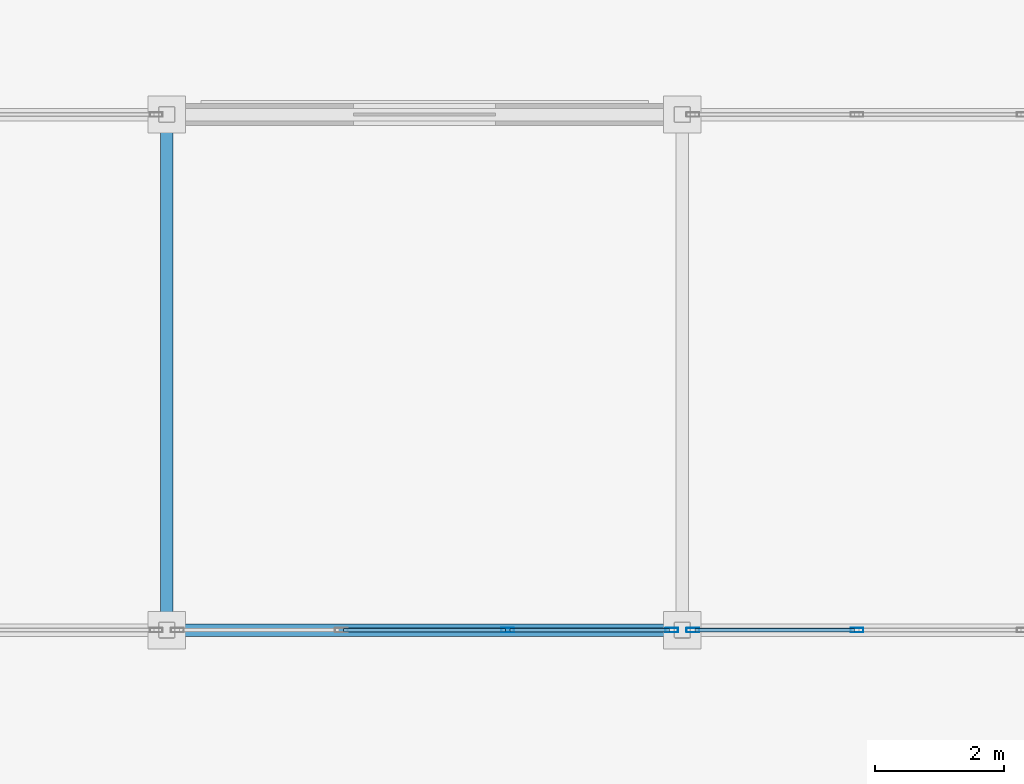
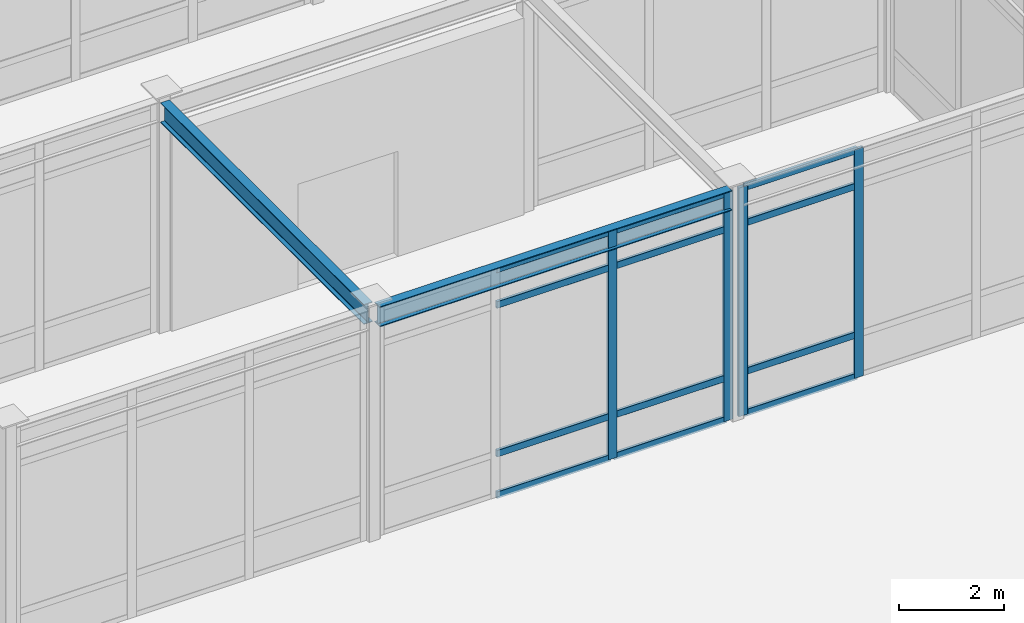
# One storey, part 44 of 128: 16 members, 2 beams, 2 elements without a shape of their own.
"""IFC4 building model written with IfcOpenShell, lengths in metres."""

from ifc_helpers import new_model, si_unit, direction, frame, origin, origin_2d, place, context, subcontext, project, spatial, hollow_rectangle, i_section, extrude, material, material_profile, profile_set, type_object, element, aggregate, save


model = new_model("IFC4")

# Units and contexts
model_context = context("Model", 3, precision=1e-05, world=origin(), true_north=direction((0.0, 1.0)))
body_context = subcontext(model_context, "Body", "Model", "MODEL_VIEW")
ifc_project = project(units=[si_unit("LENGTHUNIT", "METRE"), si_unit("AREAUNIT", "SQUARE_METRE"), si_unit("VOLUMEUNIT", "CUBIC_METRE"), si_unit("PLANEANGLEUNIT", "RADIAN"), si_unit("MASSUNIT", "GRAM", prefix="KILO")], contexts=[model_context])

# Site, building, storey
site_placement = place(None, origin())
site = spatial("IfcSite", under=ifc_project, at=site_placement, CompositionType="ELEMENT")
building_placement = place(site_placement, origin())
building = spatial("IfcBuilding", under=site, at=building_placement, Name="Solmirada Galleria", CompositionType="ELEMENT")
storey_placement = place(building_placement, origin())
storey = spatial("IfcBuildingStorey", under=building, at=storey_placement, Name="L00", CompositionType="ELEMENT", Elevation=0.0)

# Beams
ifc_material_1 = material(Name="Steel S355 / ASTM A992 Grade 50", Category="steel")
ifc_material_profile_1 = material_profile(ifc_material_1, i_section(OverallWidth=0.193115234375, OverallDepth=0.466064453125, WebThickness=0.011474609375, FlangeThickness=0.01904296875, FilletRadius=0.013916015625, at=origin_2d()), Name="W18X65")
ifc_profile_set_1 = profile_set([ifc_material_profile_1], Name="Steel S355 / ASTM A992 Grade 50")
beam_type = type_object("IfcBeamType", Name="BM-GIRD-W18C", PredefinedType="BEAM", material=ifc_profile_set_1)
for number, where, z_axis, x_axis, name in (
    (1, (56.126953125, 56.0, 5.139892578125), (1.0, 0.0, 0.0), (0.0, 1.0, 0.0), "Arcade boutique roof girder BW"),
    (2, (56.0, 56.126953125, 5.139892578125), (0.0, 1.0, 0.0), (-1.0, 0.0, 0.0), "Arcade boutique transverse girder BW"),
):
    element("IfcBeam", number, at=place(storey_placement, frame(where, z_axis=z_axis, x_axis=x_axis)), inside=storey, type_object=beam_type, Name=name, PredefinedType="BEAM", context=body_context, shape_type="SweptSolid", body=[
        extrude(i_section(OverallWidth=0.193115234375, OverallDepth=0.466064453125, WebThickness=0.011474609375, FlangeThickness=0.01904296875, FilletRadius=0.013916015625, at=origin_2d()), origin(), (0.0, 0.0, 1.0), 7.74609375),
    ])

# Curtain wall, members
ifc_material_2 = material(Name="Impact-resistant low-E double glazing", Category="glass")
curtain_wall_type = type_object("IfcCurtainWallType", Name="CW-FZ5-L00-B3-L077", PredefinedType="NOTDEFINED", material=ifc_material_2)
curtain_wall_1_placement = place(storey_placement, origin())
curtain_wall_1 = element("IfcCurtainWall", 3, at=curtain_wall_1_placement, inside=storey, type_object=curtain_wall_type, Name="Terrace and arcade storefront CW-L00-032", PredefinedType="NOTDEFINED")
ifc_material_3 = material(Name="Anodised aluminium framing", Category="aluminium")
ifc_material_profile_2 = material_profile(ifc_material_3, hollow_rectangle(XDim=0.070068359375, YDim=0.199951171875, WallThickness=0.004150390625, InnerFilletRadius=0.004150390625, OuterFilletRadius=0.00830078125, at=origin_2d()), Name="ALU-MULL-200X70")
ifc_profile_set_2 = profile_set([ifc_material_profile_2], Name="Anodised aluminium framing")
member_type_1 = type_object("IfcMemberType", Name="CW-MULL-200", PredefinedType="MULLION", material=ifc_profile_set_2)
member_1_placement = place(storey_placement, frame((66.709716796875, 56.0, 0.0), z_axis=(0.0, 0.0, 1.0), x_axis=(0.0, -1.0, 0.0)))
member_1 = element("IfcMember", 4, at=member_1_placement, type_object=member_type_1, Name="CW08 mullion 3", PredefinedType="MULLION", context=body_context, shape_type="SweptSolid", body=[
    extrude(hollow_rectangle(XDim=0.070068359375, YDim=0.199951171875, WallThickness=0.004150390625, InnerFilletRadius=0.004150390625, OuterFilletRadius=0.00830078125, at=origin_2d()), origin(), (0.0, 0.0, 1.0), 5.320068359375),
])
member_2_placement = place(storey_placement, frame((64.1640625, 56.0, 0.0), z_axis=(0.0, 0.0, 1.0), x_axis=(0.0, -1.0, 0.0)))
member_2 = element("IfcMember", 5, at=member_2_placement, type_object=member_type_1, Name="CW08 mullion 4", PredefinedType="MULLION", context=body_context, shape_type="SweptSolid", body=[
    extrude(hollow_rectangle(XDim=0.070068359375, YDim=0.199951171875, WallThickness=0.004150390625, InnerFilletRadius=0.004150390625, OuterFilletRadius=0.00830078125, at=origin_2d()), origin(), (0.0, 0.0, 1.0), 5.320068359375),
])

curtain_wall_2_placement = place(storey_placement, origin())
curtain_wall_2 = element("IfcCurtainWall", 6, at=curtain_wall_2_placement, inside=storey, type_object=curtain_wall_type, Name="Terrace and arcade storefront CW-L00-033", PredefinedType="NOTDEFINED")
member_3_placement = place(storey_placement, frame((63.8359375, 56.0, 0.0), z_axis=(0.0, 0.0, 1.0), x_axis=(0.0, -1.0, 0.0)))
member_3 = element("IfcMember", 7, at=member_3_placement, type_object=member_type_1, Name="CW08 mullion 1", PredefinedType="MULLION", context=body_context, shape_type="SweptSolid", body=[
    extrude(hollow_rectangle(XDim=0.070068359375, YDim=0.199951171875, WallThickness=0.004150390625, InnerFilletRadius=0.004150390625, OuterFilletRadius=0.00830078125, at=origin_2d()), origin(), (0.0, 0.0, 1.0), 5.320068359375),
])
member_4_placement = place(storey_placement, frame((61.290283203125, 56.0, 0.0), z_axis=(0.0, 0.0, 1.0), x_axis=(0.0, -1.0, 0.0)))
member_4 = element("IfcMember", 8, at=member_4_placement, type_object=member_type_1, Name="CW08 mullion 2", PredefinedType="MULLION", context=body_context, shape_type="SweptSolid", body=[
    extrude(hollow_rectangle(XDim=0.070068359375, YDim=0.199951171875, WallThickness=0.004150390625, InnerFilletRadius=0.004150390625, OuterFilletRadius=0.00830078125, at=origin_2d()), origin(), (0.0, 0.0, 1.0), 5.320068359375),
])

# Member
ifc_material_profile_3 = material_profile(ifc_material_3, hollow_rectangle(XDim=0.06494140625, YDim=0.159912109375, WallThickness=0.00390625, InnerFilletRadius=0.00390625, OuterFilletRadius=0.007568359375, at=origin_2d()), Name="ALU-TRAN-160X65")
ifc_profile_set_3 = profile_set([ifc_material_profile_3], Name="Anodised aluminium framing")
member_type_2 = type_object("IfcMemberType", Name="CW-TRAN-160", PredefinedType="USERDEFINED", material=ifc_profile_set_3)
member_5_placement = place(storey_placement, frame((66.674560546875, 56.0, 0.032470703125), z_axis=(-1.0, 0.0, 0.0), x_axis=(0.0, -1.0, 0.0)))
member_5 = element("IfcMember", 9, at=member_5_placement, type_object=member_type_2, Name="CW08 transom 3.1", ObjectType="TRANSOM", PredefinedType="USERDEFINED", context=body_context, shape_type="SweptSolid", body=[
    extrude(hollow_rectangle(XDim=0.06494140625, YDim=0.159912109375, WallThickness=0.00390625, InnerFilletRadius=0.00390625, OuterFilletRadius=0.007568359375, at=origin_2d()), origin(), (0.0, 0.0, 1.0), 2.4755859375),
])

member_6_placement = place(storey_placement, frame((66.674560546875, 56.0, 1.0), z_axis=(-1.0, 0.0, 0.0), x_axis=(0.0, -1.0, 0.0)))
member_6 = element("IfcMember", 10, at=member_6_placement, type_object=member_type_2, Name="CW08 transom 3.2", ObjectType="TRANSOM", PredefinedType="USERDEFINED", context=body_context, shape_type="SweptSolid", body=[
    extrude(hollow_rectangle(XDim=0.06494140625, YDim=0.159912109375, WallThickness=0.00390625, InnerFilletRadius=0.00390625, OuterFilletRadius=0.007568359375, at=origin_2d()), origin(), (0.0, 0.0, 1.0), 2.4755859375),
])

member_7_placement = place(storey_placement, frame((66.674560546875, 56.0, 4.4599609375), z_axis=(-1.0, 0.0, 0.0), x_axis=(0.0, -1.0, 0.0)))
member_7 = element("IfcMember", 11, at=member_7_placement, type_object=member_type_2, Name="CW08 transom 3.3", ObjectType="TRANSOM", PredefinedType="USERDEFINED", context=body_context, shape_type="SweptSolid", body=[
    extrude(hollow_rectangle(XDim=0.06494140625, YDim=0.159912109375, WallThickness=0.00390625, InnerFilletRadius=0.00390625, OuterFilletRadius=0.007568359375, at=origin_2d()), origin(), (0.0, 0.0, 1.0), 2.4755859375),
])

member_8_placement = place(storey_placement, frame((66.674560546875, 56.0, 5.28759765625), z_axis=(-1.0, 0.0, 0.0), x_axis=(0.0, -1.0, 0.0)))
member_8 = element("IfcMember", 12, at=member_8_placement, type_object=member_type_2, Name="CW08 transom 3.4", ObjectType="TRANSOM", PredefinedType="USERDEFINED", context=body_context, shape_type="SweptSolid", body=[
    extrude(hollow_rectangle(XDim=0.06494140625, YDim=0.159912109375, WallThickness=0.00390625, InnerFilletRadius=0.00390625, OuterFilletRadius=0.007568359375, at=origin_2d()), origin(), (0.0, 0.0, 1.0), 2.4755859375),
])

aggregate(curtain_wall_1, [member_1, member_2, member_5, member_6, member_7, member_8])

member_9_placement = place(storey_placement, frame((63.801025390625, 56.0, 0.032470703125), z_axis=(-1.0, 0.0, 0.0), x_axis=(0.0, -1.0, 0.0)))
member_9 = element("IfcMember", 13, at=member_9_placement, type_object=member_type_2, Name="CW08 transom 1.1", ObjectType="TRANSOM", PredefinedType="USERDEFINED", context=body_context, shape_type="SweptSolid", body=[
    extrude(hollow_rectangle(XDim=0.06494140625, YDim=0.159912109375, WallThickness=0.00390625, InnerFilletRadius=0.00390625, OuterFilletRadius=0.007568359375, at=origin_2d()), origin(), (0.0, 0.0, 1.0), 2.4755859375),
])

member_10_placement = place(storey_placement, frame((63.801025390625, 56.0, 1.0), z_axis=(-1.0, 0.0, 0.0), x_axis=(0.0, -1.0, 0.0)))
member_10 = element("IfcMember", 14, at=member_10_placement, type_object=member_type_2, Name="CW08 transom 1.2", ObjectType="TRANSOM", PredefinedType="USERDEFINED", context=body_context, shape_type="SweptSolid", body=[
    extrude(hollow_rectangle(XDim=0.06494140625, YDim=0.159912109375, WallThickness=0.00390625, InnerFilletRadius=0.00390625, OuterFilletRadius=0.007568359375, at=origin_2d()), origin(), (0.0, 0.0, 1.0), 2.4755859375),
])

member_11_placement = place(storey_placement, frame((63.801025390625, 56.0, 4.4599609375), z_axis=(-1.0, 0.0, 0.0), x_axis=(0.0, -1.0, 0.0)))
member_11 = element("IfcMember", 15, at=member_11_placement, type_object=member_type_2, Name="CW08 transom 1.3", ObjectType="TRANSOM", PredefinedType="USERDEFINED", context=body_context, shape_type="SweptSolid", body=[
    extrude(hollow_rectangle(XDim=0.06494140625, YDim=0.159912109375, WallThickness=0.00390625, InnerFilletRadius=0.00390625, OuterFilletRadius=0.007568359375, at=origin_2d()), origin(), (0.0, 0.0, 1.0), 2.4755859375),
])

member_12_placement = place(storey_placement, frame((63.801025390625, 56.0, 5.28759765625), z_axis=(-1.0, 0.0, 0.0), x_axis=(0.0, -1.0, 0.0)))
member_12 = element("IfcMember", 16, at=member_12_placement, type_object=member_type_2, Name="CW08 transom 1.4", ObjectType="TRANSOM", PredefinedType="USERDEFINED", context=body_context, shape_type="SweptSolid", body=[
    extrude(hollow_rectangle(XDim=0.06494140625, YDim=0.159912109375, WallThickness=0.00390625, InnerFilletRadius=0.00390625, OuterFilletRadius=0.007568359375, at=origin_2d()), origin(), (0.0, 0.0, 1.0), 2.4755859375),
])

member_13_placement = place(storey_placement, frame((61.25537109375, 56.0, 0.032470703125), z_axis=(-1.0, 0.0, 0.0), x_axis=(0.0, -1.0, 0.0)))
member_13 = element("IfcMember", 17, at=member_13_placement, type_object=member_type_2, Name="CW08 transom 2.1", ObjectType="TRANSOM", PredefinedType="USERDEFINED", context=body_context, shape_type="SweptSolid", body=[
    extrude(hollow_rectangle(XDim=0.06494140625, YDim=0.159912109375, WallThickness=0.00390625, InnerFilletRadius=0.00390625, OuterFilletRadius=0.007568359375, at=origin_2d()), origin(), (0.0, 0.0, 1.0), 2.5107421875),
])

member_14_placement = place(storey_placement, frame((61.25537109375, 56.0, 1.0), z_axis=(-1.0, 0.0, 0.0), x_axis=(0.0, -1.0, 0.0)))
member_14 = element("IfcMember", 18, at=member_14_placement, type_object=member_type_2, Name="CW08 transom 2.2", ObjectType="TRANSOM", PredefinedType="USERDEFINED", context=body_context, shape_type="SweptSolid", body=[
    extrude(hollow_rectangle(XDim=0.06494140625, YDim=0.159912109375, WallThickness=0.00390625, InnerFilletRadius=0.00390625, OuterFilletRadius=0.007568359375, at=origin_2d()), origin(), (0.0, 0.0, 1.0), 2.5107421875),
])

member_15_placement = place(storey_placement, frame((61.25537109375, 56.0, 4.4599609375), z_axis=(-1.0, 0.0, 0.0), x_axis=(0.0, -1.0, 0.0)))
member_15 = element("IfcMember", 19, at=member_15_placement, type_object=member_type_2, Name="CW08 transom 2.3", ObjectType="TRANSOM", PredefinedType="USERDEFINED", context=body_context, shape_type="SweptSolid", body=[
    extrude(hollow_rectangle(XDim=0.06494140625, YDim=0.159912109375, WallThickness=0.00390625, InnerFilletRadius=0.00390625, OuterFilletRadius=0.007568359375, at=origin_2d()), origin(), (0.0, 0.0, 1.0), 2.5107421875),
])

member_16_placement = place(storey_placement, frame((61.25537109375, 56.0, 5.28759765625), z_axis=(-1.0, 0.0, 0.0), x_axis=(0.0, -1.0, 0.0)))
member_16 = element("IfcMember", 20, at=member_16_placement, type_object=member_type_2, Name="CW08 transom 2.4", ObjectType="TRANSOM", PredefinedType="USERDEFINED", context=body_context, shape_type="SweptSolid", body=[
    extrude(hollow_rectangle(XDim=0.06494140625, YDim=0.159912109375, WallThickness=0.00390625, InnerFilletRadius=0.00390625, OuterFilletRadius=0.007568359375, at=origin_2d()), origin(), (0.0, 0.0, 1.0), 2.5107421875),
])

aggregate(curtain_wall_2, [member_3, member_4, member_9, member_10, member_11, member_12, member_13, member_14, member_15, member_16])

save(model, "model.ifc")
